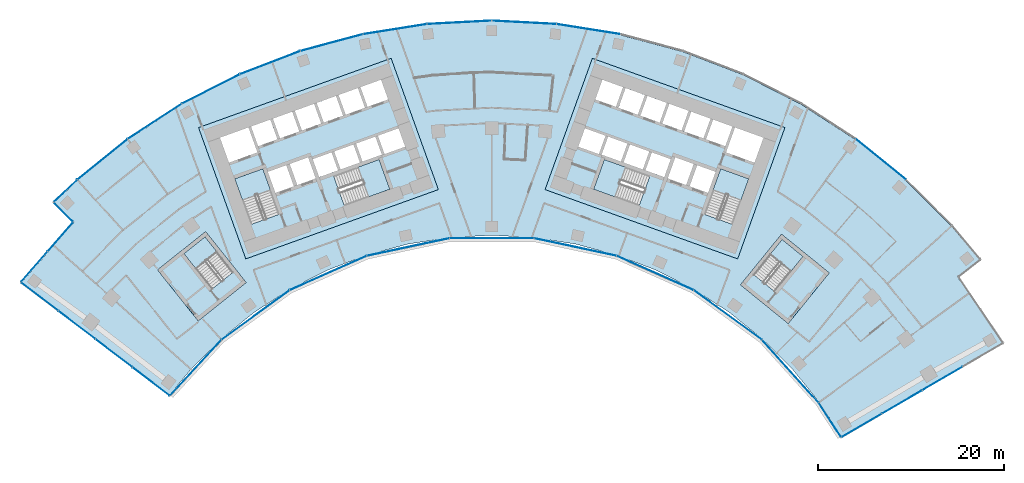
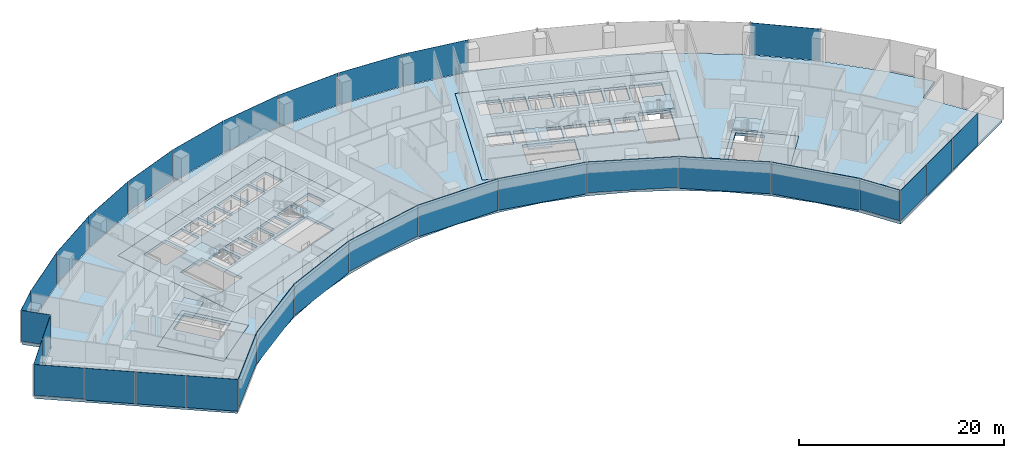
# One storey, part 12 of 21: 31 plates, 11 slabs, 12 elements without a shape of their own.
"""IFC4 building model written with IfcOpenShell, lengths in metres."""

from ifc_helpers import new_model, si_unit, direction, frame, origin, origin_2d, place, context, subcontext, project, spatial, polyline, rectangle, outline, extrude, material, layer, layer_set, type_object, element, aggregate, save


model = new_model("IFC4")

# Units and contexts
model_context = context("Model", 3, precision=1e-05, world=origin(), true_north=direction((0.0, 1.0)))
body_context = subcontext(model_context, "Body", "Model", "MODEL_VIEW")
ifc_project = project(units=[si_unit("LENGTHUNIT", "METRE"), si_unit("AREAUNIT", "SQUARE_METRE"), si_unit("VOLUMEUNIT", "CUBIC_METRE"), si_unit("PLANEANGLEUNIT", "RADIAN"), si_unit("MASSUNIT", "GRAM", prefix="KILO")], contexts=[model_context])

# Site, building, storey
site_placement = place(None, origin())
site = spatial("IfcSite", under=ifc_project, at=site_placement, CompositionType="ELEMENT")
building_placement = place(site_placement, origin())
building = spatial("IfcBuilding", under=site, at=building_placement, Name="Stone Belt Terrace Tower", CompositionType="ELEMENT")
storey_placement = place(building_placement, frame((0.0, 0.0, 90.800048828125)))
storey = spatial("IfcBuildingStorey", under=building, at=storey_placement, Name="L21", CompositionType="ELEMENT", Elevation=90.800048828125)

# Curtain wall, plates
ifc_material_1 = material(Name="Aluminium 6063-T6 anodised frame", Category="aluminium")
ifc_layer_1 = layer(ifc_material_1, 0.14990234375)
ifc_layer_set_1 = layer_set([ifc_layer_1], Name="CW-A unitised convex-face curtain wall")
curtain_wall_type_1 = type_object("IfcCurtainWallType", Name="CW-A unitised convex-face curtain wall", PredefinedType="NOTDEFINED", material=ifc_layer_set_1)
curtain_wall_1_placement = place(storey_placement, origin())
curtain_wall_1 = element("IfcCurtainWall", 1, at=curtain_wall_1_placement, inside=storey, type_object=curtain_wall_type_1, Name="CW-A convex face L21", PredefinedType="NOTDEFINED")
ifc_material_2 = material(Name="Clear double glazed unit")
ifc_layer_2 = layer(ifc_material_2, 0.031982421875)
ifc_layer_set_2 = layer_set([ifc_layer_2], Name="CW-A glass panel 32")
plate_type_1 = type_object("IfcPlateType", Name="CW-A glass panel 32", PredefinedType="CURTAIN_PANEL", material=ifc_layer_set_2)
plate_1_placement = place(storey_placement, frame((41.839599609375, 51.667724609375, 0.0), z_axis=(0.0, 0.0, 1.0), x_axis=(-0.777145961457, 0.62932039105, 0.0)))
plate_1 = element("IfcPlate", 2, at=plate_1_placement, type_object=plate_type_1, Name="CW-A panel 3.1", PredefinedType="CURTAIN_PANEL", context=body_context, shape_type="SweptSolid", body=[
    extrude(rectangle(XDim=6.90087890625, YDim=0.031982421875, at=origin_2d()), origin(), (0.0, 0.0, 1.0), 3.800048828125),
])
plate_2_placement = place(storey_placement, frame((10.400390625, 65.665283203125, 0.0), z_axis=(0.0, 0.0, 1.0), x_axis=(-0.987688340595, 0.15643446504, 0.0)))
plate_2 = element("IfcPlate", 3, at=plate_2_placement, type_object=plate_type_1, Name="CW-A panel 8.1", PredefinedType="CURTAIN_PANEL", context=body_context, shape_type="SweptSolid", body=[
    extrude(rectangle(XDim=6.90087890625, YDim=0.031982421875, at=origin_2d()), origin(), (0.0, 0.0, 1.0), 3.800048828125),
])
plate_3_placement = place(storey_placement, frame((3.4794921875, 66.392822265625, 0.0), z_axis=(0.0, 0.0, 1.0), x_axis=(-0.998629534755, 0.052335956243, 0.0)))
plate_3 = element("IfcPlate", 4, at=plate_3_placement, type_object=plate_type_1, Name="CW-A panel 9.1", PredefinedType="CURTAIN_PANEL", context=body_context, shape_type="SweptSolid", body=[
    extrude(rectangle(XDim=6.90087890625, YDim=0.031982421875, at=origin_2d()), origin(), (0.0, 0.0, 1.0), 3.800048828125),
])
plate_4_placement = place(storey_placement, frame((-3.4794921875, 66.392822265625, 0.0), z_axis=(0.0, 0.0, 1.0), x_axis=(-0.998629534755, -0.052335956243, 0.0)))
plate_4 = element("IfcPlate", 5, at=plate_4_placement, type_object=plate_type_1, Name="CW-A panel 10.1", PredefinedType="CURTAIN_PANEL", context=body_context, shape_type="SweptSolid", body=[
    extrude(rectangle(XDim=6.90087890625, YDim=0.031982421875, at=origin_2d()), origin(), (0.0, 0.0, 1.0), 3.800048828125),
])
plate_5_placement = place(storey_placement, frame((-10.400390625, 65.665283203125, 0.0), z_axis=(0.0, 0.0, 1.0), x_axis=(-0.987688340595, -0.15643446504, 0.0)))
plate_5 = element("IfcPlate", 6, at=plate_5_placement, type_object=plate_type_1, Name="CW-A panel 11.1", PredefinedType="CURTAIN_PANEL", context=body_context, shape_type="SweptSolid", body=[
    extrude(rectangle(XDim=6.90087890625, YDim=0.031982421875, at=origin_2d()), origin(), (0.0, 0.0, 1.0), 3.800048828125),
])
plate_6_placement = place(storey_placement, frame((-17.207275390625, 64.218505859375, 0.0), z_axis=(0.0, 0.0, 1.0), x_axis=(-0.965925826289, -0.258819045103, 0.0)))
plate_6 = element("IfcPlate", 7, at=plate_6_placement, type_object=plate_type_1, Name="CW-A panel 12.1", PredefinedType="CURTAIN_PANEL", context=body_context, shape_type="SweptSolid", body=[
    extrude(rectangle(XDim=6.90087890625, YDim=0.031982421875, at=origin_2d()), origin(), (0.0, 0.0, 1.0), 3.800048828125),
])
plate_7_placement = place(storey_placement, frame((-23.82568359375, 62.068115234375, 0.14013671875), z_axis=(0.0, 0.0, 1.0), x_axis=(-0.933580426497, -0.358367949545, 0.0)))
plate_7 = element("IfcPlate", 8, at=plate_7_placement, type_object=plate_type_1, Name="CW-A panel 13.1", PredefinedType="CURTAIN_PANEL", context=body_context, shape_type="SweptSolid", body=[
    extrude(rectangle(XDim=6.90087890625, YDim=0.031982421875, at=origin_2d()), origin(), (0.0, 0.0, 1.0), 3.659912109375),
])
plate_8_placement = place(storey_placement, frame((-30.18310546875, 59.237548828125, 0.0), z_axis=(0.0, 0.0, 1.0), x_axis=(-0.891006524188, -0.45399049974, 0.0)))
plate_8 = element("IfcPlate", 9, at=plate_8_placement, type_object=plate_type_1, Name="CW-A panel 14.1", PredefinedType="CURTAIN_PANEL", context=body_context, shape_type="SweptSolid", body=[
    extrude(rectangle(XDim=6.90087890625, YDim=0.031982421875, at=origin_2d()), origin(), (0.0, 0.0, 1.0), 3.800048828125),
])
plate_9_placement = place(storey_placement, frame((-36.209716796875, 55.758056640625, 0.0), z_axis=(0.0, 0.0, 1.0), x_axis=(-0.838670567945, -0.544639035015, 0.0)))
plate_9 = element("IfcPlate", 10, at=plate_9_placement, type_object=plate_type_1, Name="CW-A panel 15.1", PredefinedType="CURTAIN_PANEL", context=body_context, shape_type="SweptSolid", body=[
    extrude(rectangle(XDim=6.90087890625, YDim=0.031982421875, at=origin_2d()), origin(), (0.0, 0.0, 1.0), 3.800048828125),
])
plate_10_placement = place(storey_placement, frame((-41.839599609375, 51.667724609375, 0.0), z_axis=(0.0, 0.0, 1.0), x_axis=(-0.777145961457, -0.62932039105, 0.0)))
plate_10 = element("IfcPlate", 11, at=plate_10_placement, type_object=plate_type_1, Name="CW-A panel 16.1", PredefinedType="CURTAIN_PANEL", context=body_context, shape_type="SweptSolid", body=[
    extrude(rectangle(XDim=6.900634765625, YDim=0.031982421875, at=origin_2d()), origin(), (0.0, 0.0, 1.0), 3.800048828125),
])
plate_11_placement = place(storey_placement, frame((-45.805908203125, 48.281494140625, 0.0), z_axis=(0.0, 0.0, 1.0), x_axis=(-0.725627811581, -0.688087406556, 0.0)))
plate_11 = element("IfcPlate", 12, at=plate_11_placement, type_object=plate_type_1, Name="CW-A panel 17.1", PredefinedType="CURTAIN_PANEL", context=body_context, shape_type="SweptSolid", body=[
    extrude(rectangle(XDim=3.405029296875, YDim=0.031982421875, at=origin_2d()), origin(), (0.0, 0.0, 1.0), 3.800048828125),
])
aggregate(curtain_wall_1, [plate_1, plate_2, plate_3, plate_4, plate_5, plate_6, plate_7, plate_8, plate_9, plate_10, plate_11])

ifc_layer_3 = layer(ifc_material_1, 0.14990234375)
ifc_layer_set_3 = layer_set([ifc_layer_3], Name="CW-B unitised concave-face curtain wall")
curtain_wall_type_2 = type_object("IfcCurtainWallType", Name="CW-B unitised concave-face curtain wall", PredefinedType="NOTDEFINED", material=ifc_layer_set_3)
curtain_wall_2_placement = place(storey_placement, origin())
curtain_wall_2 = element("IfcCurtainWall", 13, at=curtain_wall_2_placement, inside=storey, type_object=curtain_wall_type_2, Name="CW-B concave face L21", PredefinedType="NOTDEFINED")
ifc_layer_4 = layer(ifc_material_2, 0.030029296875)
ifc_layer_set_4 = layer_set([ifc_layer_4], Name="CW-B glass panel 30")
plate_type_2 = type_object("IfcPlateType", Name="CW-B glass panel 30", PredefinedType="CURTAIN_PANEL", material=ifc_layer_set_4)
plate_12_placement = place(storey_placement, frame((-31.81591796875, 29.27490234375, 0.1201171875), z_axis=(0.0, 0.0, 1.0), x_axis=(0.677440300006, 0.735577759266, 0.0)))
plate_12 = element("IfcPlate", 14, at=plate_12_placement, type_object=plate_type_2, Name="CW-B panel 1.1", PredefinedType="CURTAIN_PANEL", context=body_context, shape_type="SweptSolid", body=[
    extrude(rectangle(XDim=8.08056640625, YDim=0.030029296875, at=origin_2d()), origin(), (0.0, 0.0, 1.0), 3.679931640625),
])
plate_13_placement = place(storey_placement, frame((-25.384765625, 34.9384765625, 0.0), z_axis=(0.0, 0.0, 1.0), x_axis=(0.809016994375, 0.587785252292, 0.0)))
plate_13 = element("IfcPlate", 15, at=plate_13_placement, type_object=plate_type_2, Name="CW-B panel 2.1", PredefinedType="CURTAIN_PANEL", context=body_context, shape_type="SweptSolid", body=[
    extrude(rectangle(XDim=9.013671875, YDim=0.030029296875, at=origin_2d()), origin(), (0.0, 0.0, 1.0), 3.800048828125),
])
plate_14_placement = place(storey_placement, frame((-17.565673828125, 39.453125, 0.0), z_axis=(0.0, 0.0, 1.0), x_axis=(0.913545457643, 0.406736643076, 0.0)))
plate_14 = element("IfcPlate", 16, at=plate_14_placement, type_object=plate_type_2, Name="CW-B panel 3.1", PredefinedType="CURTAIN_PANEL", context=body_context, shape_type="SweptSolid", body=[
    extrude(rectangle(XDim=9.0126953125, YDim=0.030029296875, at=origin_2d()), origin(), (0.0, 0.0, 1.0), 3.800048828125),
])
plate_15_placement = place(storey_placement, frame((-8.97900390625, 42.242919921875, 0.1201171875), z_axis=(0.0, 0.0, 1.0), x_axis=(0.978147600734, 0.207911690818, 0.0)))
plate_15 = element("IfcPlate", 17, at=plate_15_placement, type_object=plate_type_2, Name="CW-B panel 4.1", PredefinedType="CURTAIN_PANEL", context=body_context, shape_type="SweptSolid", body=[
    extrude(rectangle(XDim=9.0126953125, YDim=0.030029296875, at=origin_2d()), origin(), (0.0, 0.0, 1.0), 3.679931640625),
])
plate_16_placement = place(storey_placement, frame((0.0, 43.186767578125, 0.0), z_axis=(0.0, 0.0, 1.0), x_axis=(1.0, 0.0, 0.0)))
plate_16 = element("IfcPlate", 18, at=plate_16_placement, type_object=plate_type_2, Name="CW-B panel 5.1", PredefinedType="CURTAIN_PANEL", context=body_context, shape_type="SweptSolid", body=[
    extrude(rectangle(XDim=9.0126953125, YDim=0.030029296875, at=origin_2d()), origin(), (0.0, 0.0, 1.0), 3.800048828125),
])
plate_17_placement = place(storey_placement, frame((8.97900390625, 42.242919921875, 0.0), z_axis=(0.0, 0.0, 1.0), x_axis=(0.978147600734, -0.207911690818, 0.0)))
plate_17 = element("IfcPlate", 19, at=plate_17_placement, type_object=plate_type_2, Name="CW-B panel 6.1", PredefinedType="CURTAIN_PANEL", context=body_context, shape_type="SweptSolid", body=[
    extrude(rectangle(XDim=9.0126953125, YDim=0.030029296875, at=origin_2d()), origin(), (0.0, 0.0, 1.0), 3.800048828125),
])
plate_18_placement = place(storey_placement, frame((17.565673828125, 39.453125, 0.1201171875), z_axis=(0.0, 0.0, 1.0), x_axis=(0.913545457643, -0.406736643076, 0.0)))
plate_18 = element("IfcPlate", 20, at=plate_18_placement, type_object=plate_type_2, Name="CW-B panel 7.1", PredefinedType="CURTAIN_PANEL", context=body_context, shape_type="SweptSolid", body=[
    extrude(rectangle(XDim=9.0126953125, YDim=0.030029296875, at=origin_2d()), origin(), (0.0, 0.0, 1.0), 3.679931640625),
])
plate_19_placement = place(storey_placement, frame((25.384521484375, 34.938720703125, 0.0), z_axis=(0.0, 0.0, 1.0), x_axis=(0.809016994375, -0.587785252292, 0.0)))
plate_19 = element("IfcPlate", 21, at=plate_19_placement, type_object=plate_type_2, Name="CW-B panel 8.1", PredefinedType="CURTAIN_PANEL", context=body_context, shape_type="SweptSolid", body=[
    extrude(rectangle(XDim=9.0126953125, YDim=0.030029296875, at=origin_2d()), origin(), (0.0, 0.0, 1.0), 3.800048828125),
])
plate_20_placement = place(storey_placement, frame((32.09521484375, 28.89599609375, 0.0), z_axis=(0.0, 0.0, 1.0), x_axis=(0.669130606359, -0.743144825477, 0.0)))
plate_20 = element("IfcPlate", 22, at=plate_20_placement, type_object=plate_type_2, Name="CW-B panel 9.1", PredefinedType="CURTAIN_PANEL", context=body_context, shape_type="SweptSolid", body=[
    extrude(rectangle(XDim=9.016845703125, YDim=0.030029296875, at=origin_2d()), origin(), (0.0, 0.0, 1.0), 3.800048828125),
])
plate_21_placement = place(storey_placement, frame((36.3408203125, 23.66943359375, 0.1201171875), z_axis=(0.0, 0.0, 1.0), x_axis=(0.546131502436, -0.837699458068, 0.0)))
plate_21 = element("IfcPlate", 23, at=plate_21_placement, type_object=plate_type_2, Name="CW-B panel 10.1", PredefinedType="CURTAIN_PANEL", context=body_context, shape_type="SweptSolid", body=[
    extrude(rectangle(XDim=4.363525390625, YDim=0.030029296875, at=origin_2d()), origin(), (0.0, 0.0, 1.0), 3.679931640625),
])
aggregate(curtain_wall_2, [plate_12, plate_13, plate_14, plate_15, plate_16, plate_17, plate_18, plate_19, plate_20, plate_21])

ifc_layer_5 = layer(ifc_material_1, 0.14990234375)
ifc_layer_set_5 = layer_set([ifc_layer_5], Name="CW-C stick curtain wall, horn ends and notches")
curtain_wall_type_3 = type_object("IfcCurtainWallType", Name="CW-C stick curtain wall, horn ends and notches", PredefinedType="NOTDEFINED", material=ifc_layer_set_5)
curtain_wall_3_placement = place(storey_placement, origin())
curtain_wall_3 = element("IfcCurtainWall", 24, at=curtain_wall_3_placement, inside=storey, type_object=curtain_wall_type_3, Name="CW-C end face L21", PredefinedType="NOTDEFINED")
ifc_layer_6 = layer(ifc_material_2, 0.028076171875)
ifc_layer_set_6 = layer_set([ifc_layer_6], Name="CW-C glass panel 28")
plate_type_3 = type_object("IfcPlateType", Name="CW-C glass panel 28", PredefinedType="CURTAIN_PANEL", material=ifc_layer_set_6)
plate_22_placement = place(storey_placement, frame((39.78076171875, 23.06982421875, 0.1201171875), z_axis=(0.0, 0.0, 1.0), x_axis=(0.864239322284, 0.503080901861, 0.0)))
plate_22 = element("IfcPlate", 25, at=plate_22_placement, type_object=plate_type_3, Name="CW-C panel 1.1", PredefinedType="CURTAIN_PANEL", context=body_context, shape_type="SweptSolid", body=[
    extrude(rectangle(XDim=4.9677734375, YDim=0.028076171875, at=origin_2d()), origin(), (0.0, 0.0, 1.0), 3.679931640625),
])
plate_23_placement = place(storey_placement, frame((44.114013671875, 25.59228515625, 0.0), z_axis=(0.0, 0.0, 1.0), x_axis=(0.864239322284, 0.503080901861, 0.0)))
plate_23 = element("IfcPlate", 26, at=plate_23_placement, type_object=plate_type_3, Name="CW-C panel 2.1", PredefinedType="CURTAIN_PANEL", context=body_context, shape_type="SweptSolid", body=[
    extrude(rectangle(XDim=4.93994140625, YDim=0.028076171875, at=origin_2d()), origin(), (0.0, 0.0, 1.0), 3.800048828125),
])
plate_24_placement = place(storey_placement, frame((48.43505859375, 28.107666015625, 0.0), z_axis=(0.0, 0.0, 1.0), x_axis=(0.864239322284, 0.503080901861, 0.0)))
plate_24 = element("IfcPlate", 27, at=plate_24_placement, type_object=plate_type_3, Name="CW-C panel 3.1", PredefinedType="CURTAIN_PANEL", context=body_context, shape_type="SweptSolid", body=[
    extrude(rectangle(XDim=4.93994140625, YDim=0.028076171875, at=origin_2d()), origin(), (0.0, 0.0, 1.0), 3.800048828125),
])
aggregate(curtain_wall_3, [plate_22, plate_23, plate_24])

# Curtain wall, plate
curtain_wall_4_placement = place(storey_placement, origin())
curtain_wall_4 = element("IfcCurtainWall", 28, at=curtain_wall_4_placement, inside=storey, type_object=curtain_wall_type_3, Name="CW-C notch face L21", PredefinedType="NOTDEFINED")
plate_25_placement = place(storey_placement, frame((-46.032470703125, 45.994384765625, 0.1201171875), z_axis=(0.0, 0.0, 1.0), x_axis=(0.70658579876, -0.707627380046, 0.0)))
plate_25 = element("IfcPlate", 29, at=plate_25_placement, type_object=plate_type_3, Name="CW-C panel 1.1", PredefinedType="CURTAIN_PANEL", context=body_context, shape_type="SweptSolid", body=[
    extrude(rectangle(XDim=2.859130859375, YDim=0.028076171875, at=origin_2d()), origin(), (0.0, 0.0, 1.0), 3.679931640625),
])
aggregate(curtain_wall_4, [plate_25])

# Curtain wall, plates
curtain_wall_5_placement = place(storey_placement, origin())
curtain_wall_5 = element("IfcCurtainWall", 30, at=curtain_wall_5_placement, inside=storey, type_object=curtain_wall_type_3, Name="CW-C notch face L21", PredefinedType="NOTDEFINED")
plate_26_placement = place(storey_placement, frame((-46.375, 43.324951171875, 0.1201171875), z_axis=(0.0, 0.0, 1.0), x_axis=(-0.658230250003, -0.752816669569, 0.0)))
plate_26 = element("IfcPlate", 31, at=plate_26_placement, type_object=plate_type_3, Name="CW-C panel 1.1", PredefinedType="CURTAIN_PANEL", context=body_context, shape_type="SweptSolid", body=[
    extrude(rectangle(XDim=4.12060546875, YDim=0.028076171875, at=origin_2d()), origin(), (0.0, 0.0, 1.0), 3.679931640625),
])
plate_27_placement = place(storey_placement, frame((-49.175537109375, 40.1220703125, 0.0), z_axis=(0.0, 0.0, 1.0), x_axis=(-0.658230250003, -0.752816669569, 0.0)))
plate_27 = element("IfcPlate", 32, at=plate_27_placement, type_object=plate_type_3, Name="CW-C panel 2.1", PredefinedType="CURTAIN_PANEL", context=body_context, shape_type="SweptSolid", body=[
    extrude(rectangle(XDim=4.268798828125, YDim=0.028076171875, at=origin_2d()), origin(), (0.0, 0.0, 1.0), 3.800048828125),
])
aggregate(curtain_wall_5, [plate_26, plate_27])

curtain_wall_6_placement = place(storey_placement, origin())
curtain_wall_6 = element("IfcCurtainWall", 33, at=curtain_wall_6_placement, inside=storey, type_object=curtain_wall_type_3, Name="CW-C end face L21", PredefinedType="NOTDEFINED")
plate_28_placement = place(storey_placement, frame((-48.591064453125, 36.906005859375, 0.1201171875), z_axis=(0.0, 0.0, 1.0), x_axis=(0.795601620036, -0.605820156644, 0.0)))
plate_28 = element("IfcPlate", 34, at=plate_28_placement, type_object=plate_type_3, Name="CW-C panel 1.1", PredefinedType="CURTAIN_PANEL", context=body_context, shape_type="SweptSolid", body=[
    extrude(rectangle(XDim=4.974853515625, YDim=0.028076171875, at=origin_2d()), origin(), (0.0, 0.0, 1.0), 3.679931640625),
])
plate_29_placement = place(storey_placement, frame((-44.59912109375, 33.8662109375, 0.0), z_axis=(0.0, 0.0, 1.0), x_axis=(0.795601620036, -0.605820156644, 0.0)))
plate_29 = element("IfcPlate", 35, at=plate_29_placement, type_object=plate_type_3, Name="CW-C panel 2.1", PredefinedType="CURTAIN_PANEL", context=body_context, shape_type="SweptSolid", body=[
    extrude(rectangle(XDim=4.93994140625, YDim=0.028076171875, at=origin_2d()), origin(), (0.0, 0.0, 1.0), 3.800048828125),
])
plate_30_placement = place(storey_placement, frame((-40.62109375, 30.837158203125, 0.0), z_axis=(0.0, 0.0, 1.0), x_axis=(0.795601620036, -0.605820156644, 0.0)))
plate_30 = element("IfcPlate", 36, at=plate_30_placement, type_object=plate_type_3, Name="CW-C panel 3.1", PredefinedType="CURTAIN_PANEL", context=body_context, shape_type="SweptSolid", body=[
    extrude(rectangle(XDim=4.93994140625, YDim=0.028076171875, at=origin_2d()), origin(), (0.0, 0.0, 1.0), 3.800048828125),
])
plate_31_placement = place(storey_placement, frame((-36.6328125, 27.80029296875, 0.0), z_axis=(0.0, 0.0, 1.0), x_axis=(0.795601620036, -0.605820156644, 0.0)))
plate_31 = element("IfcPlate", 37, at=plate_31_placement, type_object=plate_type_3, Name="CW-C panel 4.1", PredefinedType="CURTAIN_PANEL", context=body_context, shape_type="SweptSolid", body=[
    extrude(rectangle(XDim=4.965576171875, YDim=0.028076171875, at=origin_2d()), origin(), (0.0, 0.0, 1.0), 3.800048828125),
])
aggregate(curtain_wall_6, [plate_28, plate_29, plate_30, plate_31])

# Slabs
ifc_material_3 = material(Name="Concrete B40", Category="concrete")
ifc_layer_7 = layer(ifc_material_3, 0.320068359375)
ifc_layer_set_7 = layer_set([ifc_layer_7], Name="Core floor slab 320")
slab_type_1 = type_object("IfcSlabType", Name="Core floor slab 320", PredefinedType="FLOOR", material=ifc_layer_set_7)
slab_1_placement = place(storey_placement, frame((0.0, 0.0, -0.320068359375)))
element("IfcSlab", 38, at=slab_1_placement, inside=storey, type_object=slab_type_1, Name="Core A floor L21", PredefinedType="FLOOR", context=body_context, shape_type="SweptSolid", body=[
    extrude(outline(polyline([(-26.43505859375, 40.968994140625), (-5.735107421875, 48.4189453125), (-10.81396484375, 62.531982421875), (-31.513916015625, 55.0830078125), (-26.43505859375, 40.968994140625)]), holes=[polyline([(-24.60791015625, 50.659912109375), (-22.847900390625, 45.76806640625), (-25.85888671875, 44.68408203125), (-27.618896484375, 49.575927734375), (-24.60791015625, 50.659912109375)]), polyline([(-21.27392578125, 48.778076171875), (-23.25, 48.06689453125), (-24.06298828125, 50.324951171875), (-22.0869140625, 51.035888671875), (-21.27392578125, 48.778076171875)]), polyline([(-18.922119140625, 49.6240234375), (-20.89794921875, 48.9130859375), (-21.7109375, 51.1708984375), (-19.735107421875, 51.883056640625), (-18.922119140625, 49.6240234375)]), polyline([(-19.239990234375, 51.68896484375), (-17.217041015625, 52.4169921875), (-16.52294921875, 50.488037109375), (-18.5458984375, 49.760009765625), (-19.239990234375, 51.68896484375)]), polyline([(-29.2109375, 53.9990234375), (-26.153076171875, 55.09912109375), (-25.18798828125, 52.41796875), (-28.24609375, 51.31689453125), (-29.2109375, 53.9990234375)]), polyline([(-23.801025390625, 55.946044921875), (-23.0390625, 53.8291015625), (-25.10888671875, 53.083984375), (-25.87109375, 55.200927734375), (-23.801025390625, 55.946044921875)]), polyline([(-21.447998046875, 56.7919921875), (-20.68603515625, 54.675048828125), (-22.756103515625, 53.929931640625), (-23.51806640625, 56.047119140625), (-21.447998046875, 56.7919921875)]), polyline([(-19.095947265625, 57.638916015625), (-18.333984375, 55.52197265625), (-20.404052734375, 54.777099609375), (-21.166015625, 56.89404296875), (-19.095947265625, 57.638916015625)]), polyline([(-15.846923828125, 46.69189453125), (-16.998046875, 49.89208984375), (-12.10595703125, 51.652099609375), (-10.955078125, 48.452880859375), (-15.846923828125, 46.69189453125)]), polyline([(-16.239990234375, 50.589111328125), (-16.93408203125, 52.51806640625), (-14.864013671875, 53.262939453125), (-14.169921875, 51.333984375), (-16.239990234375, 50.589111328125)]), polyline([(-11.801025390625, 52.134033203125), (-11.847900390625, 52.116943359375), (-11.864990234375, 52.1640625), (-13.887939453125, 51.43603515625), (-14.58203125, 53.364990234375), (-12.511962890625, 54.110107421875), (-11.801025390625, 52.134033203125)]), polyline([(-9.30810546875, 53.031005859375), (-11.51904296875, 52.235107421875), (-12.22998046875, 54.2109375), (-10.01904296875, 55.007080078125), (-9.30810546875, 53.031005859375)]), polyline([(-16.743896484375, 58.485107421875), (-15.98193359375, 56.367919921875), (-18.052001953125, 55.623046875), (-18.81396484375, 57.739990234375), (-16.743896484375, 58.485107421875)]), polyline([(-14.39111328125, 59.33203125), (-13.6298828125, 57.215087890625), (-15.699951171875, 56.469970703125), (-16.4609375, 58.5869140625), (-14.39111328125, 59.33203125)]), polyline([(-11.89794921875, 60.22900390625), (-11.135986328125, 58.112060546875), (-13.346923828125, 57.31591796875), (-14.10888671875, 59.43408203125), (-11.89794921875, 60.22900390625)])]), origin(), (0.0, 0.0, 1.0), 0.320068359375),
])
slab_2_placement = place(storey_placement, frame((0.0, 0.0, -0.320068359375)))
element("IfcSlab", 39, at=slab_2_placement, inside=storey, type_object=slab_type_1, Name="Core B floor L21", PredefinedType="FLOOR", context=body_context, shape_type="SweptSolid", body=[
    extrude(outline(polyline([(26.43505859375, 40.968994140625), (31.513916015625, 55.0830078125), (10.81396484375, 62.531982421875), (5.735107421875, 48.4189453125), (26.43505859375, 40.968994140625)]), holes=[polyline([(12.10595703125, 51.652099609375), (16.998046875, 49.89208984375), (15.846923828125, 46.69189453125), (10.955078125, 48.452880859375), (12.10595703125, 51.652099609375)]), polyline([(19.239990234375, 51.68896484375), (18.5458984375, 49.760009765625), (16.52294921875, 50.488037109375), (17.217041015625, 52.4169921875), (19.239990234375, 51.68896484375)]), polyline([(16.239990234375, 50.589111328125), (14.169921875, 51.333984375), (14.864013671875, 53.262939453125), (16.93408203125, 52.51806640625), (16.239990234375, 50.589111328125)]), polyline([(14.58203125, 53.364990234375), (13.887939453125, 51.43603515625), (11.864990234375, 52.1640625), (11.847900390625, 52.116943359375), (11.801025390625, 52.134033203125), (12.511962890625, 54.110107421875), (14.58203125, 53.364990234375)]), polyline([(9.30810546875, 53.031005859375), (10.01904296875, 55.007080078125), (12.22998046875, 54.2109375), (11.51904296875, 52.235107421875), (9.30810546875, 53.031005859375)]), polyline([(16.743896484375, 58.485107421875), (18.81396484375, 57.739990234375), (18.052001953125, 55.623046875), (15.98193359375, 56.367919921875), (16.743896484375, 58.485107421875)]), polyline([(14.39111328125, 59.33203125), (16.4609375, 58.5869140625), (15.699951171875, 56.469970703125), (13.6298828125, 57.215087890625), (14.39111328125, 59.33203125)]), polyline([(11.89794921875, 60.22900390625), (14.10888671875, 59.43408203125), (13.346923828125, 57.31591796875), (11.135986328125, 58.112060546875), (11.89794921875, 60.22900390625)]), polyline([(25.85888671875, 44.68408203125), (22.847900390625, 45.76806640625), (24.60791015625, 50.659912109375), (27.618896484375, 49.575927734375), (25.85888671875, 44.68408203125)]), polyline([(21.27392578125, 48.778076171875), (22.0869140625, 51.035888671875), (24.06298828125, 50.324951171875), (23.25, 48.06689453125), (21.27392578125, 48.778076171875)]), polyline([(18.922119140625, 49.6240234375), (19.735107421875, 51.883056640625), (21.7109375, 51.1708984375), (20.89794921875, 48.9130859375), (18.922119140625, 49.6240234375)]), polyline([(29.2109375, 53.9990234375), (28.24609375, 51.31689453125), (25.18798828125, 52.41796875), (26.153076171875, 55.09912109375), (29.2109375, 53.9990234375)]), polyline([(23.801025390625, 55.946044921875), (25.87109375, 55.200927734375), (25.10888671875, 53.083984375), (23.0390625, 53.8291015625), (23.801025390625, 55.946044921875)]), polyline([(21.447998046875, 56.7919921875), (23.51806640625, 56.047119140625), (22.756103515625, 53.929931640625), (20.68603515625, 54.675048828125), (21.447998046875, 56.7919921875)]), polyline([(19.095947265625, 57.638916015625), (21.166015625, 56.89404296875), (20.404052734375, 54.777099609375), (18.333984375, 55.52197265625), (19.095947265625, 57.638916015625)])]), origin(), (0.0, 0.0, 1.0), 0.320068359375),
])
slab_3_placement = place(storey_placement, frame((0.0, 0.0, -0.320068359375)))
element("IfcSlab", 40, at=slab_3_placement, inside=storey, type_object=slab_type_1, Name="Exit stair ST3A floor L21", PredefinedType="FLOOR", context=body_context, shape_type="SweptSolid", body=[
    extrude(outline(polyline([(-26.39404296875, 38.425048828125), (-30.756103515625, 43.89990234375), (-35.91796875, 39.787109375), (-31.555908203125, 34.31298828125), (-26.39404296875, 38.425048828125)]), holes=[polyline([(-27.798095703125, 39.544921875), (-30.06591796875, 37.738037109375), (-33.087890625, 41.531005859375), (-30.820068359375, 43.337890625), (-27.798095703125, 39.544921875)])]), origin(), (0.0, 0.0, 1.0), 0.320068359375),
])
slab_4_placement = place(storey_placement, frame((0.0, 0.0, -0.320068359375)))
element("IfcSlab", 41, at=slab_4_placement, inside=storey, type_object=slab_type_1, Name="Exit stair ST3B floor L21", PredefinedType="FLOOR", context=body_context, shape_type="SweptSolid", body=[
    extrude(outline(polyline([(26.741943359375, 38.18408203125), (31.866943359375, 34.02392578125), (36.278076171875, 39.458984375), (31.154052734375, 43.618896484375), (26.741943359375, 38.18408203125)]), holes=[polyline([(30.407958984375, 37.462890625), (28.156005859375, 39.291015625), (31.2119140625, 43.055908203125), (33.464111328125, 41.22802734375), (30.407958984375, 37.462890625)])]), origin(), (0.0, 0.0, 1.0), 0.320068359375),
])
ifc_layer_8 = layer(ifc_material_3, 0.320068359375)
ifc_layer_set_8 = layer_set([ifc_layer_8], Name="Floor slab 320 B40")
slab_type_2 = type_object("IfcSlabType", Name="Floor slab 320 B40", PredefinedType="FLOOR", material=ifc_layer_set_8)
slab_5_placement = place(storey_placement, frame((0.0, 0.0, -0.320068359375)))
element("IfcSlab", 42, at=slab_5_placement, inside=storey, type_object=slab_type_2, Name="Floor slab L21", PredefinedType="FLOOR", context=body_context, shape_type="SweptSolid", body=[
    extrude(outline(polyline([(-44.497314453125, 49.419189453125), (-39.087646484375, 53.799560546875), (-33.25, 57.5908203125), (-27.048095703125, 60.750732421875), (-20.549560546875, 63.245361328125), (-13.826171875, 65.046875), (-6.951171875, 66.1357421875), (0.0, 66.5), (6.951171875, 66.1357421875), (13.826171875, 65.046875), (20.549560546875, 63.245361328125), (27.048095703125, 60.750732421875), (33.25, 57.5908203125), (39.087646484375, 53.799560546875), (44.497314453125, 49.419189453125), (49.419189453125, 44.497314453125), (52.4326171875, 40.9033203125), (50.067138671875, 39.05810546875), (54.879150390625, 31.945556640625), (37.594482421875, 21.884033203125), (35.192138671875, 25.568603515625), (32.326904296875, 29.107177734375), (29.107177734375, 32.326904296875), (25.568603515625, 35.192138671875), (21.75, 37.672119140625), (17.693115234375, 39.7392578125), (13.442138671875, 41.37109375), (9.044189453125, 42.54931640625), (4.547119140625, 43.26171875), (0.0, 43.5), (-4.547119140625, 43.26171875), (-9.044189453125, 42.54931640625), (-13.442138671875, 41.37109375), (-17.693115234375, 39.7392578125), (-21.75, 37.672119140625), (-25.568603515625, 35.192138671875), (-29.107177734375, 32.326904296875), (-32.326904296875, 29.107177734375), (-34.608642578125, 26.353271484375), (-50.520751953125, 38.469482421875), (-44.8681640625, 44.934326171875), (-46.988037109375, 47.05712890625), (-44.497314453125, 49.419189453125)]), holes=[polyline([(-26.434814453125, 40.968994140625), (-5.734619140625, 48.418701171875), (-10.81396484375, 62.532470703125), (-31.51416015625, 55.082763671875), (-26.434814453125, 40.968994140625)]), polyline([(10.81396484375, 62.532470703125), (5.734619140625, 48.418701171875), (26.434814453125, 40.968994140625), (31.51416015625, 55.082763671875), (10.81396484375, 62.532470703125)]), polyline([(-35.91796875, 39.787353515625), (-31.55615234375, 34.3125), (-26.39404296875, 38.425048828125), (-30.756103515625, 43.89990234375), (-35.91796875, 39.787353515625)]), polyline([(36.2783203125, 39.459228515625), (31.15380859375, 43.61865234375), (26.742431640625, 38.18359375), (31.86669921875, 34.024169921875), (36.2783203125, 39.459228515625)])]), origin(), (0.0, 0.0, 1.0), 0.320068359375),
])

# Stair, slab
stair_type = type_object("IfcStairType", Name="Exit stair 1500", PredefinedType="HALF_TURN_STAIR", material=ifc_material_3)
stair_1_placement = place(storey_placement, origin())
stair_1 = element("IfcStair", 43, at=stair_1_placement, inside=storey, type_object=stair_type, Name="L21 Exit stair 1 core A", PredefinedType="HALF_TURN_STAIR")
ifc_layer_9 = layer(ifc_material_3, 0.199951171875)
ifc_layer_set_9 = layer_set([ifc_layer_9], Name="Stair landing 200")
slab_type_3 = type_object("IfcSlabType", Name="Stair landing 200", PredefinedType="LANDING", material=ifc_layer_set_9)
slab_6_placement = place(storey_placement, frame((0.0, 0.0, 1.699951171875)))
slab_6 = element("IfcSlab", 44, at=slab_6_placement, type_object=slab_type_3, Name="ST1A landing 1", PredefinedType="LANDING", context=body_context, shape_type="SweptSolid", body=[
    extrude(outline(polyline([(-23.79541015625, 48.40087890625), (-24.6083984375, 50.659912109375), (-27.619384765625, 49.576171875), (-26.806396484375, 47.3173828125), (-23.79541015625, 48.40087890625)])), origin(), (0.0, 0.0, 1.0), 0.199951171875),
])
aggregate(stair_1, [slab_6])

stair_2_placement = place(storey_placement, origin())
stair_2 = element("IfcStair", 45, at=stair_2_placement, inside=storey, type_object=stair_type, Name="L21 Exit stair 2 core A", PredefinedType="HALF_TURN_STAIR")
slab_7_placement = place(storey_placement, frame((0.0, 0.0, 1.699951171875)))
slab_7 = element("IfcSlab", 46, at=slab_7_placement, type_object=slab_type_3, Name="ST2A landing 1", PredefinedType="LANDING", context=body_context, shape_type="SweptSolid", body=[
    extrude(outline(polyline([(-13.213623046875, 47.64013671875), (-10.95458984375, 48.453125), (-12.10595703125, 51.652099609375), (-14.36474609375, 50.839111328125), (-13.213623046875, 47.64013671875)])), origin(), (0.0, 0.0, 1.0), 0.199951171875),
])
aggregate(stair_2, [slab_7])

stair_3_placement = place(storey_placement, origin())
stair_3 = element("IfcStair", 47, at=stair_3_placement, inside=storey, type_object=stair_type, Name="L21 Exit stair 1 core B", PredefinedType="HALF_TURN_STAIR")
slab_8_placement = place(storey_placement, frame((0.0, 0.0, 1.699951171875)))
slab_8 = element("IfcSlab", 48, at=slab_8_placement, type_object=slab_type_3, Name="ST1B landing 1", PredefinedType="LANDING", context=body_context, shape_type="SweptSolid", body=[
    extrude(outline(polyline([(26.806396484375, 47.3173828125), (27.619384765625, 49.576171875), (24.6083984375, 50.659912109375), (23.79541015625, 48.40087890625), (26.806396484375, 47.3173828125)])), origin(), (0.0, 0.0, 1.0), 0.199951171875),
])
aggregate(stair_3, [slab_8])

stair_4_placement = place(storey_placement, origin())
stair_4 = element("IfcStair", 49, at=stair_4_placement, inside=storey, type_object=stair_type, Name="L21 Exit stair 2 core B", PredefinedType="HALF_TURN_STAIR")
slab_9_placement = place(storey_placement, frame((0.0, 0.0, 1.699951171875)))
slab_9 = element("IfcSlab", 50, at=slab_9_placement, type_object=slab_type_3, Name="ST2B landing 1", PredefinedType="LANDING", context=body_context, shape_type="SweptSolid", body=[
    extrude(outline(polyline([(14.36474609375, 50.839111328125), (12.10595703125, 51.652099609375), (10.95458984375, 48.453125), (13.213623046875, 47.64013671875), (14.36474609375, 50.839111328125)])), origin(), (0.0, 0.0, 1.0), 0.199951171875),
])
aggregate(stair_4, [slab_9])

stair_5_placement = place(storey_placement, origin())
stair_5 = element("IfcStair", 51, at=stair_5_placement, inside=storey, type_object=stair_type, Name="L21 Exit stair 3A", PredefinedType="HALF_TURN_STAIR")
slab_10_placement = place(storey_placement, frame((0.0, 0.0, 1.699951171875)))
slab_10 = element("IfcSlab", 52, at=slab_10_placement, type_object=slab_type_3, Name="ST3A landing 1", PredefinedType="LANDING", context=body_context, shape_type="SweptSolid", body=[
    extrude(outline(polyline([(-29.541748046875, 41.73388671875), (-30.819580078125, 43.337890625), (-33.087646484375, 41.53076171875), (-31.809814453125, 39.9267578125), (-29.541748046875, 41.73388671875)])), origin(), (0.0, 0.0, 1.0), 0.199951171875),
])
aggregate(stair_5, [slab_10])

stair_6_placement = place(storey_placement, origin())
stair_6 = element("IfcStair", 53, at=stair_6_placement, inside=storey, type_object=stair_type, Name="L21 Exit stair 3B", PredefinedType="HALF_TURN_STAIR")
slab_11_placement = place(storey_placement, frame((0.0, 0.0, 1.699951171875)))
slab_11 = element("IfcSlab", 54, at=slab_11_placement, type_object=slab_type_3, Name="ST3B landing 1", PredefinedType="LANDING", context=body_context, shape_type="SweptSolid", body=[
    extrude(outline(polyline([(32.17138671875, 39.635986328125), (33.4638671875, 41.228271484375), (31.21240234375, 43.055908203125), (29.919921875, 41.463623046875), (32.17138671875, 39.635986328125)])), origin(), (0.0, 0.0, 1.0), 0.199951171875),
])
aggregate(stair_6, [slab_11])

save(model, "model.ifc")
